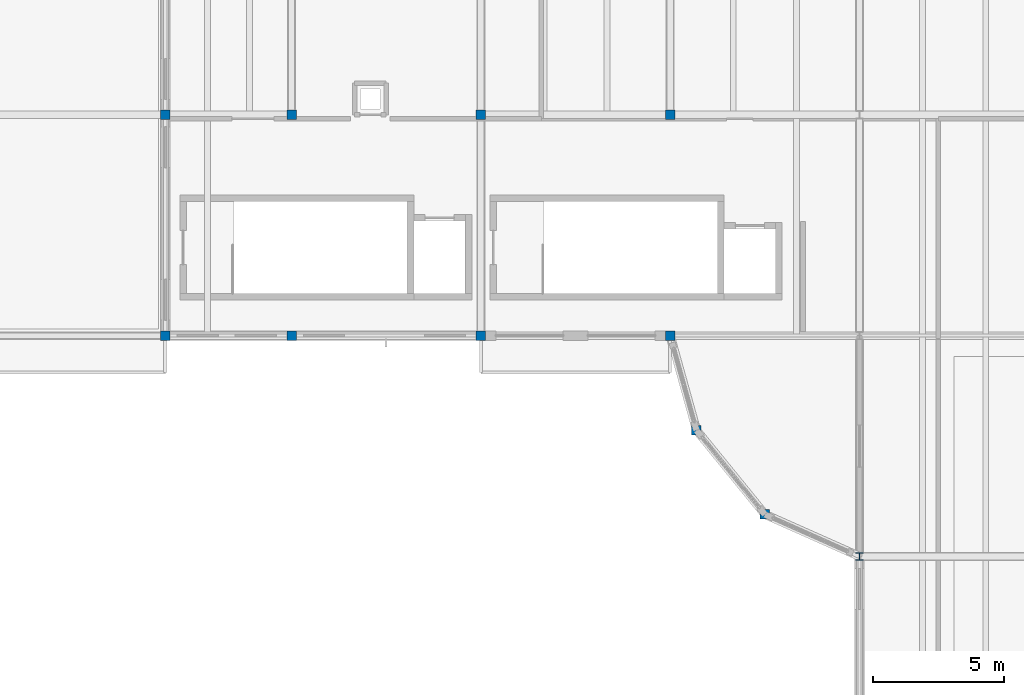
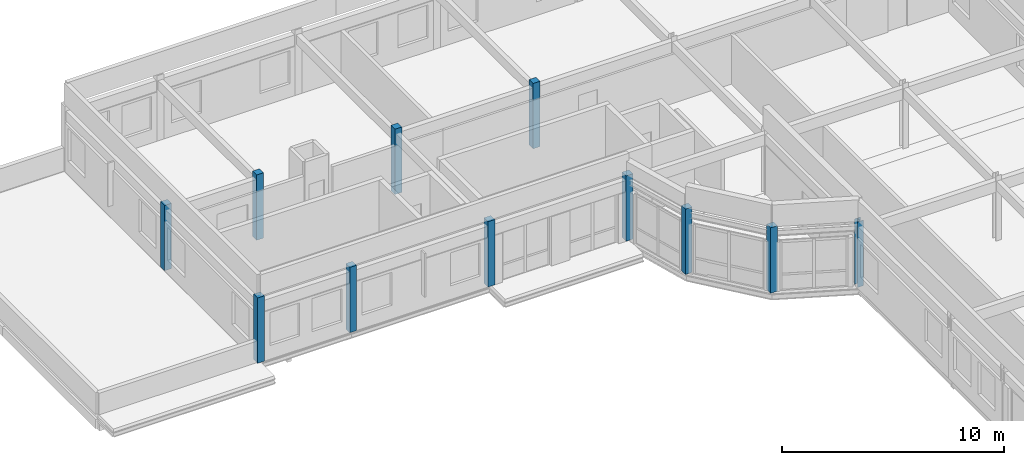
# One storey, part 2 of 21: 11 columns.
"""IFC4 building model written with IfcOpenShell, lengths in metres."""

import ifcopenshell
import ifcopenshell.guid

model = None  # the IFC model being written
_history = None  # IfcOwnerHistory: only IFC2X3 demands one
_inside = {}  # id of a spatial element -> (the spatial element, [elements in it])
_under = {}  # id of a project, library or spatial element -> (it, [spatial elements below it])
_declared = {}  # id of a project -> (the project, [libraries it declares])
_typed = {}  # id of a type object -> (the type object, [elements of that type])
_made_of = {}  # id of a material, layer set ... -> (it, [elements and type objects made of it])


def new_model(schema):
    """Start an empty IFC model of exactly this schema.

    Asked for "IFC4X3", IfcOpenShell would pick the latest addendum, in which some entities
    have other attributes; the version numbers below select the first issue.
    IFC2X3 requires an IfcOwnerHistory on every rooted entity: one is made here for all.
    """
    global model, _history
    if schema == "IFC4X3":
        model = ifcopenshell.file(schema_version=(4, 3, 0, 0))
    else:
        model = ifcopenshell.file(schema=schema)
    _inside.clear()
    _under.clear()
    _declared.clear()
    _typed.clear()
    _made_of.clear()
    _history = None
    if model.schema == "IFC2X3":
        org = make("IfcOrganization", Name="unknown")
        user = make(
            "IfcPersonAndOrganization",
            ThePerson=make("IfcPerson", FamilyName="unknown"),
            TheOrganization=org,
        )
        app = make(
            "IfcApplication",
            ApplicationDeveloper=org,
            Version="unknown",
            ApplicationFullName="unknown",
            ApplicationIdentifier="unknown",
        )
        _history = make(
            "IfcOwnerHistory",
            OwningUser=user,
            OwningApplication=app,
            ChangeAction="ADDED",
            CreationDate=0,
        )
    return model


def make(cls, **values):
    """One entity of the class cls with the attributes given. An attribute that is None is left unset."""
    return model.create_entity(
        cls, **{name: value for name, value in values.items() if value is not None}
    )


def rooted(cls, **values):
    """An entity with a GlobalId (a new one), such as an element, a storey or a relation."""
    return make(cls, GlobalId=ifcopenshell.guid.new(), OwnerHistory=_history, **values)


def si_unit(unit_type, name, prefix=None):
    """IfcSIUnit, for example si_unit("LENGTHUNIT", "METRE", prefix="MILLI")."""
    return make("IfcSIUnit", UnitType=unit_type, Prefix=prefix, Name=name)


def assignment(units):
    """IfcUnitAssignment: the units of a project."""
    return None if units is None else make("IfcUnitAssignment", Units=units)


def point(xyz):
    """IfcCartesianPoint."""
    return None if xyz is None else make("IfcCartesianPoint", Coordinates=xyz)


def direction(xyz):
    """IfcDirection."""
    return None if xyz is None else make("IfcDirection", DirectionRatios=xyz)


def frame(location, z_axis=None, x_axis=None):
    """IfcAxis2Placement3D, a coordinate frame: its origin and axes. An axis left out is left unset."""
    return make(
        "IfcAxis2Placement3D",
        Location=point(location),
        Axis=direction(z_axis),
        RefDirection=direction(x_axis),
    )


def frame_2d(location, x_axis=None):
    """IfcAxis2Placement2D, a coordinate frame in the plane: its origin and x axis."""
    return make(
        "IfcAxis2Placement2D", Location=point(location), RefDirection=direction(x_axis)
    )


def origin():
    """The frame at (0, 0, 0) with its axes left unset."""
    return frame((0.0, 0.0, 0.0))


def origin_2d():
    """The frame at (0, 0) in the plane with its x axis left unset."""
    return frame_2d((0.0, 0.0))


def place(relative_to, where):
    """IfcLocalPlacement: puts the frame where relative to a parent placement (None: the world)."""
    return make(
        "IfcLocalPlacement", PlacementRelTo=relative_to, RelativePlacement=where
    )


def context(
    kind, dimensions, precision=None, world=None, true_north=None, identifier=None
):
    """IfcGeometricRepresentationContext, for example the 3D "Model" context."""
    return make(
        "IfcGeometricRepresentationContext",
        ContextIdentifier=identifier,
        ContextType=kind,
        CoordinateSpaceDimension=dimensions,
        Precision=precision,
        WorldCoordinateSystem=world,
        TrueNorth=true_north,
    )


def subcontext(parent, identifier, kind, view, scale=None):
    """IfcGeometricRepresentationSubContext, for example "Body" below "Model"."""
    return make(
        "IfcGeometricRepresentationSubContext",
        ContextIdentifier=identifier,
        ContextType=kind,
        ParentContext=parent,
        TargetScale=scale,
        TargetView=view,
    )


def project(units=None, contexts=None):
    """IfcProject with its units and contexts."""
    return rooted(
        "IfcProject",
        Name="project",
        RepresentationContexts=contexts,
        UnitsInContext=assignment(units),
    )


def spatial(cls, under=None, at=None, **own):
    """A site, building, storey or space (cls), placed at a placement, below another one or the project."""
    s = rooted(cls, ObjectPlacement=at, **own)
    if under is not None:
        _under.setdefault(under.id(), (under, []))[1].append(s)
    return s


def profile(cls, at=None, kind="AREA", **sizes):
    """A parametric profile (cls). Its sizes go by their IFC names, for example OverallWidth=200.0."""
    return make(cls, ProfileType=kind, Position=at, **sizes)


def rectangle(**sizes):
    """IfcRectangleProfileDef."""
    return profile("IfcRectangleProfileDef", **sizes)


def i_section(**sizes):
    """IfcIShapeProfileDef."""
    return profile("IfcIShapeProfileDef", **sizes)


def extrude(swept, where, along, depth):
    """IfcExtrudedAreaSolid: the profile swept, set in the frame where, extruded along a direction by depth."""
    return make(
        "IfcExtrudedAreaSolid",
        SweptArea=swept,
        Position=where,
        ExtrudedDirection=direction(along),
        Depth=depth,
    )


def shape(context_of_items, identifier, shape_type, items):
    """IfcShapeRepresentation: the items that make up one representation, for example the "Body"."""
    return make(
        "IfcShapeRepresentation",
        ContextOfItems=context_of_items,
        RepresentationIdentifier=identifier,
        RepresentationType=shape_type,
        Items=items,
    )


def material(Name=None, Category=None):
    """IfcMaterial."""
    return make("IfcMaterial", Name=Name, Category=Category)


def material_profile(
    of_material, cross_section, Name=None, Category=None, Priority=None
):
    """IfcMaterialProfile: a cross section and its material."""
    return make(
        "IfcMaterialProfile",
        Name=Name,
        Material=of_material,
        Profile=cross_section,
        Priority=Priority,
        Category=Category,
    )


def profile_set(profiles, Name=None, composite=None):
    """IfcMaterialProfileSet."""
    return make(
        "IfcMaterialProfileSet",
        Name=Name,
        MaterialProfiles=profiles,
        CompositeProfile=composite,
    )


def made_of(thing, what):
    """Note that an element or type object is made of a material, layer set ...; save() writes the relation."""
    if what is not None:
        _made_of.setdefault(what.id(), (what, []))[1].append(thing)
    return thing


def type_object(cls, material=None, **own):
    """A type object (cls), such as IfcWallType, which elements share."""
    return made_of(rooted(cls, **own), material)


def element(
    cls,
    number,
    at=None,
    inside=None,
    cuts=None,
    type_object=None,
    material=None,
    context=None,
    identifier="Body",
    shape_type=None,
    held_by="IfcProductDefinitionShape",
    body=None,
    shapes=None,
    **own,
):
    """One element of the class cls, such as IfcWall. Its Tag is "e" and its number.

    at: its placement. inside: the storey or other place that contains it. cuts: it is an
    opening in that element (IfcRelVoidsElement). A single representation is given by context,
    identifier, shape_type and body (its items); several are given by shapes. held_by: the class
    of the entity that holds the representations. save() writes the other relations.
    """
    e = rooted(cls, Tag="e%d" % number, ObjectPlacement=at, **own)
    if body is not None:
        shapes = [shape(context, identifier, shape_type, body)]
    if shapes is not None:
        e.Representation = make(held_by, Representations=shapes)
    if inside is not None:
        _inside.setdefault(inside.id(), (inside, []))[1].append(e)
    if cuts is not None:
        rooted(
            "IfcRelVoidsElement", RelatingBuildingElement=cuts, RelatedOpeningElement=e
        )
    if type_object is not None:
        _typed.setdefault(type_object.id(), (type_object, []))[1].append(e)
    return made_of(e, material)


def aggregate(whole, parts):
    """IfcRelAggregates: a whole, such as a stair, and the parts it consists of."""
    return rooted("IfcRelAggregates", RelatingObject=whole, RelatedObjects=parts)


def save(model, path):
    """Write the relations noted so far, then the file.

    IfcRelAggregates (storeys below a building ...), IfcRelContainedInSpatialStructure (elements
    in a storey), IfcRelDefinesByType, IfcRelAssociatesMaterial and IfcRelDeclares: one each for
    every whole, place, type object, material and project.
    """
    for whole, parts in _under.values():
        aggregate(whole, parts)
    for where, things in _inside.values():
        rooted(
            "IfcRelContainedInSpatialStructure",
            RelatedElements=things,
            RelatingStructure=where,
        )
    for kind, things in _typed.values():
        rooted("IfcRelDefinesByType", RelatedObjects=things, RelatingType=kind)
    for what, things in _made_of.values():
        rooted("IfcRelAssociatesMaterial", RelatedObjects=things, RelatingMaterial=what)
    for by, libraries in _declared.values():
        rooted("IfcRelDeclares", RelatingContext=by, RelatedDefinitions=libraries)
    model.write(path)


model = new_model("IFC4")

# Units and contexts
model_context = context("Model", 3, precision=1e-05, world=origin(), true_north=direction((0.0, 1.0)))
body_context = subcontext(model_context, "Body", "Model", "MODEL_VIEW")
ifc_project = project(units=[si_unit("LENGTHUNIT", "METRE"), si_unit("AREAUNIT", "SQUARE_METRE"), si_unit("VOLUMEUNIT", "CUBIC_METRE"), si_unit("PLANEANGLEUNIT", "RADIAN"), si_unit("MASSUNIT", "GRAM", prefix="KILO")], contexts=[model_context])

# Site, building, storey
site_placement = place(None, origin())
site = spatial("IfcSite", under=ifc_project, at=site_placement, CompositionType="ELEMENT")
building_placement = place(site_placement, origin())
building = spatial("IfcBuilding", under=site, at=building_placement, Name="Kahlenmark Community Centre", CompositionType="ELEMENT")
storey_placement = place(building_placement, frame((0.0, 0.0, 21.60009765625)))
storey = spatial("IfcBuildingStorey", under=building, at=storey_placement, Name="L05", CompositionType="ELEMENT", Elevation=21.60009765625)

# Columns
ifc_material_1 = material(Name="Glulam GL32h", Category="wood")
ifc_material_profile_1 = material_profile(ifc_material_1, rectangle(XDim=0.360107421875, YDim=0.360107421875, at=origin_2d()), Name="GL32h 360x360")
ifc_profile_set_1 = profile_set([ifc_material_profile_1], Name="Glulam GL32h")
column_type_1 = type_object("IfcColumnType", Name="CT-GL360", PredefinedType="COLUMN", material=ifc_profile_set_1)
for number, where, z_axis, x_axis, name in (
    (1, (46.0, 97.60009765625, 0.0), (0.0, 0.0, 1.0), (1.0, 0.0, 0.0), "L05 column (46.0, 97.6)"),
    (2, (46.0, 106.0, 0.0), (0.0, 0.0, 1.0), (1.0, 0.0, 0.0), "L05 column (46.0, 106.0)"),
    (3, (50.800048828125, 97.60009765625, 0.0), (0.0, 0.0, 1.0), (1.0, 0.0, 0.0), "L05 column (50.8, 97.6)"),
    (4, (50.800048828125, 106.0, 0.0), (0.0, 0.0, 1.0), (1.0, 0.0, 0.0), "L05 column (50.8, 106.0)"),
    (5, (58.0, 97.60009765625, 0.0), (0.0, 0.0, 1.0), (1.0, 0.0, 0.0), "L05 column (58.0, 97.6)"),
    (6, (58.0, 106.0, 0.0), (0.0, 0.0, 1.0), (1.0, 0.0, 0.0), "L05 column (58.0, 106.0)"),
    (7, (65.199951171875, 97.60009765625, 0.0), (0.0, 0.0, 1.0), (1.0, 0.0, 0.0), "L05 column (65.2, 97.6)"),
    (8, (65.199951171875, 106.0, 0.0), (0.0, 0.0, 1.0), (1.0, 0.0, 0.0), "L05 column (65.2, 106.0)"),
    (9, (66.199951171875, 94.0, 0.0), (0.0, 0.0, 1.0), (1.0, 0.0, 0.0), "L05 column (66.2, 94.0)"),
    (10, (68.800048828125, 90.800048828125, 0.0), (0.0, 0.0, 1.0), (1.0, 0.0, 0.0), "L05 column (68.8, 90.8)"),
):
    element("IfcColumn", number, at=place(storey_placement, frame(where, z_axis=z_axis, x_axis=x_axis)), inside=storey, type_object=column_type_1, Name=name, PredefinedType="COLUMN", context=body_context, shape_type="SweptSolid", body=[
        extrude(rectangle(XDim=0.360107421875, YDim=0.360107421875, at=origin_2d()), origin(), (0.0, 0.0, 1.0), 3.599853515625),
    ])
ifc_material_2 = material(Name="Steel S355", Category="steel")
ifc_material_profile_2 = material_profile(ifc_material_2, i_section(OverallWidth=0.300048828125, OverallDepth=0.2900390625, WebThickness=0.008544921875, FlangeThickness=0.013916015625, at=origin_2d()), Name="HEA 300")
ifc_profile_set_2 = profile_set([ifc_material_profile_2], Name="Steel S355")
column_type_2 = type_object("IfcColumnType", Name="CT-HEA300", PredefinedType="COLUMN", material=ifc_profile_set_2)
column_placement = place(storey_placement, frame((72.39990234375, 89.199951171875, 0.0), z_axis=(0.0, 0.0, 1.0), x_axis=(1.0, 0.0, 0.0)))
element("IfcColumn", 11, at=column_placement, inside=storey, type_object=column_type_2, Name="L05 column (72.4, 89.2)", PredefinedType="COLUMN", context=body_context, shape_type="SweptSolid", body=[
    extrude(i_section(OverallWidth=0.300048828125, OverallDepth=0.2900390625, WebThickness=0.008544921875, FlangeThickness=0.013916015625, at=origin_2d()), origin(), (0.0, 0.0, 1.0), 3.599853515625),
])

save(model, "model.ifc")
